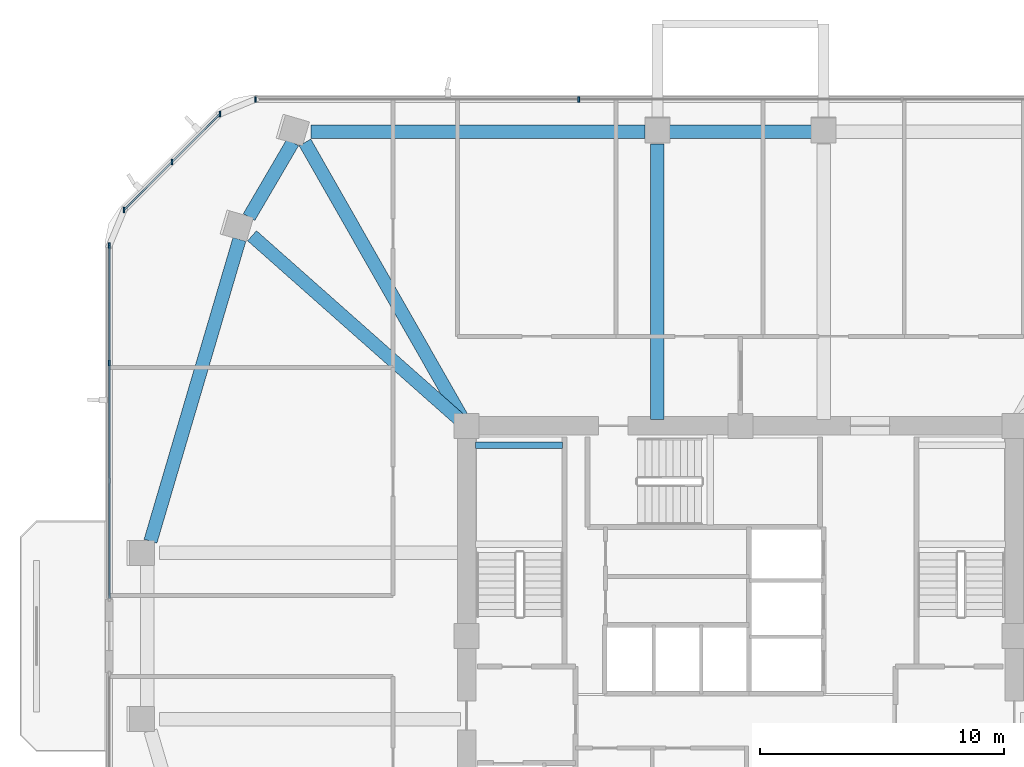
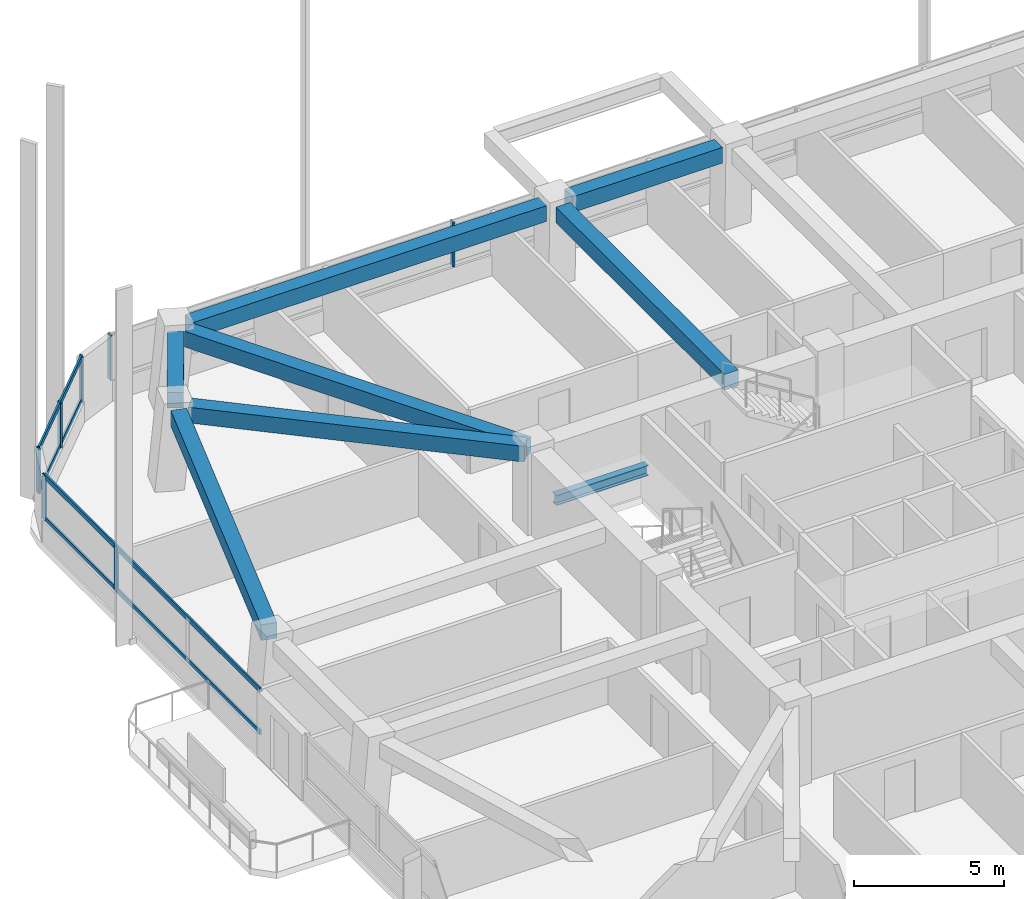
# One storey, part 4 of 15: 11 members, 8 beams, 3 elements without a shape of their own.
"""IFC4 building model written with IfcOpenShell, lengths in metres."""

from ifc_helpers import new_model, si_unit, derived_unit, direction, frame, origin, origin_2d, place, context, subcontext, project, spatial, rectangle, i_section, extrude, material, material_profile, profile_set, type_object, element, aggregate, save


model = new_model("IFC4")

# Units and contexts
model_context = context("Model", 3, precision=1e-05, world=origin(), true_north=direction((0.0, 1.0)))
body_context = subcontext(model_context, "Body", "Model", "MODEL_VIEW")
ifc_project = project(units=[si_unit("LENGTHUNIT", "METRE"), si_unit("AREAUNIT", "SQUARE_METRE"), si_unit("VOLUMEUNIT", "CUBIC_METRE"), si_unit("PLANEANGLEUNIT", "RADIAN"), si_unit("MASSUNIT", "GRAM", prefix="KILO"), derived_unit("THERMALTRANSMITTANCEUNIT", [(si_unit("POWERUNIT", "WATT"), 1), (si_unit("LENGTHUNIT", "METRE"), -2), (si_unit("THERMODYNAMICTEMPERATUREUNIT", "KELVIN"), -1)])], contexts=[model_context])

# Site, building, storey
site_placement = place(None, origin())
site = spatial("IfcSite", under=ifc_project, at=site_placement, CompositionType="ELEMENT")
building_placement = place(site_placement, origin())
building = spatial("IfcBuilding", under=site, at=building_placement, Name="Koralith Skygarden Medical Center", CompositionType="ELEMENT")
storey_placement = place(building_placement, frame((0.0, 0.0, 99.179931640625)))
storey = spatial("IfcBuildingStorey", under=building, at=storey_placement, Name="L25", CompositionType="ELEMENT", Elevation=99.179931640625)

# Curtain wall, members
ifc_material_1 = material(Name="Clear Laminated Glass", Category="glass")
curtain_wall_type = type_object("IfcCurtainWallType", Name="CW-3 Zone 2 Faceted Solar Curtain Wall", PredefinedType="NOTDEFINED", material=ifc_material_1)
curtain_wall_1_placement = place(storey_placement, origin())
curtain_wall_1 = element("IfcCurtainWall", 1, at=curtain_wall_1_placement, inside=storey, type_object=curtain_wall_type, Name="Curtain Wall CW-L25-N", PredefinedType="NOTDEFINED")
ifc_material_2 = material(Name="Aluminium 6063-T6", Category="aluminium")
ifc_material_profile_1 = material_profile(ifc_material_2, rectangle(XDim=0.073974609375, YDim=0.219970703125, at=origin_2d()), Name="MUL74X220")
ifc_profile_set_1 = profile_set([ifc_material_profile_1], Name="Aluminium 6063-T6")
member_type_1 = type_object("IfcMemberType", Name="CW-3 Extruded Mullion 74x220", PredefinedType="MULLION", material=ifc_profile_set_1)
member_1_placement = place(storey_placement, frame((30.386962890625, 47.85498046875, 0.85009765625), z_axis=(0.0, 0.0, 1.0), x_axis=(1.0, 0.0, 0.0)))
member_1 = element("IfcMember", 2, at=member_1_placement, type_object=member_type_1, Name="CW-L25-N Mullion 3", PredefinedType="MULLION", context=body_context, shape_type="SweptSolid", body=[
    extrude(rectangle(XDim=0.073974609375, YDim=0.219970703125, at=origin_2d()), origin(), (0.0, 0.0, 1.0), 1.820068359375),
])
member_2_placement = place(storey_placement, frame((17.162109375, 47.85498046875, 0.85009765625), z_axis=(0.0, 0.0, 1.0), x_axis=(1.0, 0.0, 0.0)))
member_2 = element("IfcMember", 3, at=member_2_placement, type_object=member_type_1, Name="CW-L25-N Mullion 4", PredefinedType="MULLION", context=body_context, shape_type="SweptSolid", body=[
    extrude(rectangle(XDim=0.073974609375, YDim=0.219970703125, at=origin_2d()), origin(), (0.0, 0.0, 1.0), 1.820068359375),
])
aggregate(curtain_wall_1, [member_1, member_2])

curtain_wall_2_placement = place(storey_placement, origin())
curtain_wall_2 = element("IfcCurtainWall", 4, at=curtain_wall_2_placement, inside=storey, type_object=curtain_wall_type, Name="Curtain Wall CW-L25-NW", PredefinedType="NOTDEFINED")
member_3_placement = place(storey_placement, frame((15.7109375, 47.2529296875, 0.85009765625), z_axis=(0.0, 0.0, 1.0), x_axis=(1.0, 0.0, 0.0)))
member_3 = element("IfcMember", 5, at=member_3_placement, type_object=member_type_1, Name="CW-L25-NW Mullion 1", PredefinedType="MULLION", context=body_context, shape_type="SweptSolid", body=[
    extrude(rectangle(XDim=0.073974609375, YDim=0.219970703125, at=origin_2d()), origin(), (0.0, 0.0, 1.0), 1.820068359375),
])
member_4_placement = place(storey_placement, frame((13.75, 45.291015625, 0.85009765625), z_axis=(0.0, 0.0, 1.0), x_axis=(1.0, 0.0, 0.0)))
member_4 = element("IfcMember", 6, at=member_4_placement, type_object=member_type_1, Name="CW-L25-NW Mullion 2", PredefinedType="MULLION", context=body_context, shape_type="SweptSolid", body=[
    extrude(rectangle(XDim=0.073974609375, YDim=0.219970703125, at=origin_2d()), origin(), (0.0, 0.0, 1.0), 1.820068359375),
])
member_5_placement = place(storey_placement, frame((11.7880859375, 43.330078125, 0.85009765625), z_axis=(0.0, 0.0, 1.0), x_axis=(1.0, 0.0, 0.0)))
member_5 = element("IfcMember", 7, at=member_5_placement, type_object=member_type_1, Name="CW-L25-NW Mullion 3", PredefinedType="MULLION", context=body_context, shape_type="SweptSolid", body=[
    extrude(rectangle(XDim=0.073974609375, YDim=0.219970703125, at=origin_2d()), origin(), (0.0, 0.0, 1.0), 1.820068359375),
])

curtain_wall_3_placement = place(storey_placement, origin())
curtain_wall_3 = element("IfcCurtainWall", 8, at=curtain_wall_3_placement, inside=storey, type_object=curtain_wall_type, Name="Curtain Wall CW-L25-W-L", PredefinedType="NOTDEFINED")
member_6_placement = place(storey_placement, frame((11.18701171875, 41.87890625, 0.85009765625), z_axis=(0.0, 0.0, 1.0), x_axis=(1.0, 0.0, 0.0)))
member_6 = element("IfcMember", 9, at=member_6_placement, type_object=member_type_1, Name="CW-L25-W-L Mullion 1", PredefinedType="MULLION", context=body_context, shape_type="SweptSolid", body=[
    extrude(rectangle(XDim=0.073974609375, YDim=0.219970703125, at=origin_2d()), origin(), (0.0, 0.0, 1.0), 1.820068359375),
])
member_7_placement = place(storey_placement, frame((11.18701171875, 37.06591796875, 0.85009765625), z_axis=(0.0, 0.0, 1.0), x_axis=(1.0, 0.0, 0.0)))
member_7 = element("IfcMember", 10, at=member_7_placement, type_object=member_type_1, Name="CW-L25-W-L Mullion 2", PredefinedType="MULLION", context=body_context, shape_type="SweptSolid", body=[
    extrude(rectangle(XDim=0.073974609375, YDim=0.219970703125, at=origin_2d()), origin(), (0.0, 0.0, 1.0), 1.820068359375),
])

# Member
ifc_material_profile_2 = material_profile(ifc_material_2, rectangle(XDim=0.069091796875, YDim=0.197998046875, at=origin_2d()), Name="TRN69X198")
ifc_profile_set_2 = profile_set([ifc_material_profile_2], Name="Aluminium 6063-T6")
member_type_2 = type_object("IfcMemberType", Name="CW-3 Thermal Transom 69x198", PredefinedType="USERDEFINED", material=ifc_profile_set_2)
member_8_placement = place(storey_placement, frame((15.7109375, 47.2529296875, 0.900146484375), z_axis=(-0.707106781187, -0.707106781187, 0.0), x_axis=(0.707106781187, -0.707106781187, 0.0)))
member_8 = element("IfcMember", 11, at=member_8_placement, type_object=member_type_2, Name="CW-L25-NW Transom 1", ObjectType="TRANSOM", PredefinedType="USERDEFINED", context=body_context, shape_type="SweptSolid", body=[
    extrude(rectangle(XDim=0.069091796875, YDim=0.197998046875, at=origin_2d()), origin(), (0.0, 0.0, 1.0), 5.5478515625),
])

member_9_placement = place(storey_placement, frame((15.7109375, 47.2529296875, 2.6201171875), z_axis=(-0.707106781187, -0.707106781187, 0.0), x_axis=(0.707106781187, -0.707106781187, 0.0)))
member_9 = element("IfcMember", 12, at=member_9_placement, type_object=member_type_2, Name="CW-L25-NW Transom 2", ObjectType="TRANSOM", PredefinedType="USERDEFINED", context=body_context, shape_type="SweptSolid", body=[
    extrude(rectangle(XDim=0.069091796875, YDim=0.197998046875, at=origin_2d()), origin(), (0.0, 0.0, 1.0), 5.5478515625),
])

aggregate(curtain_wall_2, [member_3, member_4, member_5, member_8, member_9])

member_10_placement = place(storey_placement, frame((11.18701171875, 41.87890625, 0.900146484375), z_axis=(0.0, -1.0, 0.0), x_axis=(1.0, 0.0, 0.0)))
member_10 = element("IfcMember", 13, at=member_10_placement, type_object=member_type_2, Name="CW-L25-W-L Transom 1", ObjectType="TRANSOM", PredefinedType="USERDEFINED", context=body_context, shape_type="SweptSolid", body=[
    extrude(rectangle(XDim=0.069091796875, YDim=0.197998046875, at=origin_2d()), origin(), (0.0, 0.0, 1.0), 14.43896484375),
])

member_11_placement = place(storey_placement, frame((11.18701171875, 41.87890625, 2.6201171875), z_axis=(0.0, -1.0, 0.0), x_axis=(1.0, 0.0, 0.0)))
member_11 = element("IfcMember", 14, at=member_11_placement, type_object=member_type_2, Name="CW-L25-W-L Transom 2", ObjectType="TRANSOM", PredefinedType="USERDEFINED", context=body_context, shape_type="SweptSolid", body=[
    extrude(rectangle(XDim=0.069091796875, YDim=0.197998046875, at=origin_2d()), origin(), (0.0, 0.0, 1.0), 14.43896484375),
])

aggregate(curtain_wall_3, [member_6, member_7, member_10, member_11])

# Beams
ifc_material_3 = material(Name="Steel ASTM A992 Grade 50", Category="steel")
ifc_material_profile_3 = material_profile(ifc_material_3, i_section(OverallWidth=0.260009765625, OverallDepth=0.4150390625, WebThickness=0.010009765625, FlangeThickness=0.016845703125, at=origin_2d()), Name="W16X67")
ifc_profile_set_3 = profile_set([ifc_material_profile_3], Name="Steel ASTM A992 Grade 50")
beam_type_1 = type_object("IfcBeamType", Name="Clinical Floor Joist W16X67", PredefinedType="JOIST", material=ifc_profile_set_3)
beam_1_placement = place(storey_placement, frame((26.155029296875, 33.699951171875, 1.39306640625), z_axis=(1.0, 0.0, 0.0), x_axis=(0.0, 1.0, 0.0)))
element("IfcBeam", 15, at=beam_1_placement, inside=storey, type_object=beam_type_1, Name="L25 Stair ST1 Half-Landing Support Beam 1B", PredefinedType="JOIST", context=body_context, shape_type="SweptSolid", body=[
    extrude(i_section(OverallWidth=0.260009765625, OverallDepth=0.4150390625, WebThickness=0.010009765625, FlangeThickness=0.016845703125, at=origin_2d()), origin(), (0.0, 0.0, 1.0), 3.56494140625),
])
ifc_material_4 = material(Name="Concrete C45/55", Category="concrete")
ifc_material_profile_4 = material_profile(ifc_material_4, rectangle(XDim=0.550048828125, YDim=0.639892578125, at=origin_2d()), Name="RCB550X640")
ifc_profile_set_4 = profile_set([ifc_material_profile_4], Name="Concrete C45/55")
beam_type_2 = type_object("IfcBeamType", Name="Radial Collector Beam RCB550X640", PredefinedType="BEAM", material=ifc_profile_set_4)
beam_2_placement = place(storey_placement, frame((33.60009765625, 34.75, 3.0), z_axis=(0.0, 1.0, 0.0), x_axis=(-1.0, 0.0, 0.0)))
element("IfcBeam", 16, at=beam_2_placement, inside=storey, type_object=beam_type_2, Name="L25 Radial Collector Beam RB-13", PredefinedType="BEAM", context=body_context, shape_type="SweptSolid", body=[
    extrude(rectangle(XDim=0.550048828125, YDim=0.639892578125, at=origin_2d()), origin(), (0.0, 0.0, 1.0), 11.27587890625),
])
beam_3_placement = place(storey_placement, frame((25.676025390625, 34.717041015625, 3.0), z_axis=(-0.495393850048, 0.868668482987, 0.0), x_axis=(-0.868668482987, -0.495393850048, 0.0)))
element("IfcBeam", 17, at=beam_3_placement, inside=storey, type_object=beam_type_2, Name="L25 Radial Collector Beam RB-14", PredefinedType="BEAM", context=body_context, shape_type="SweptSolid", body=[
    extrude(rectangle(XDim=0.550048828125, YDim=0.639892578125, at=origin_2d()), origin(), (0.0, 0.0, 1.0), 13.0947265625),
])
beam_4_placement = place(storey_placement, frame((25.613037109375, 34.666015625, 3.0), z_axis=(-0.748607791836, 0.663013102436, 0.0), x_axis=(-0.663013102436, -0.748607791836, 0.0)))
element("IfcBeam", 18, at=beam_4_placement, inside=storey, type_object=beam_type_2, Name="L25 Radial Collector Beam RB-15", PredefinedType="BEAM", context=body_context, shape_type="SweptSolid", body=[
    extrude(rectangle(XDim=0.550048828125, YDim=0.639892578125, at=origin_2d()), origin(), (0.0, 0.0, 1.0), 11.474853515625),
])
ifc_material_profile_5 = material_profile(ifc_material_4, rectangle(XDim=0.550048828125, YDim=0.639892578125, at=origin_2d()), Name="RCB550X640")
ifc_profile_set_5 = profile_set([ifc_material_profile_5], Name="Concrete C45/55")
beam_type_3 = type_object("IfcBeamType", Name="Zone 2-3 Spandrel Beam RCB550X640", PredefinedType="SPANDREL", material=ifc_profile_set_5)
beam_5_placement = place(storey_placement, frame((39.89990234375, 46.52587890625, 3.0), z_axis=(-1.0, 0.0, 0.0), x_axis=(0.0, -1.0, 0.0)))
element("IfcBeam", 19, at=beam_5_placement, inside=storey, type_object=beam_type_3, Name="L25 Perimeter Spandrel Beam SP-12", PredefinedType="SPANDREL", context=body_context, shape_type="SweptSolid", body=[
    extrude(rectangle(XDim=0.550048828125, YDim=0.639892578125, at=origin_2d()), origin(), (0.0, 0.0, 1.0), 5.7998046875),
])
beam_6_placement = place(storey_placement, frame((33.10009765625, 46.52587890625, 3.0), z_axis=(-1.0, 0.0, 0.0), x_axis=(0.0, -1.0, 0.0)))
element("IfcBeam", 20, at=beam_6_placement, inside=storey, type_object=beam_type_3, Name="L25 Perimeter Spandrel Beam SP-13", PredefinedType="SPANDREL", context=body_context, shape_type="SweptSolid", body=[
    extrude(rectangle(XDim=0.550048828125, YDim=0.639892578125, at=origin_2d()), origin(), (0.0, 0.0, 1.0), 13.6591796875),
])
beam_7_placement = place(storey_placement, frame((18.68896484375, 46.093994140625, 3.0), z_axis=(-0.50502386975, -0.863105376523, 0.0), x_axis=(0.863105376523, -0.50502386975, 0.0)))
element("IfcBeam", 21, at=beam_7_placement, inside=storey, type_object=beam_type_3, Name="L25 Perimeter Spandrel Beam SP-14", PredefinedType="SPANDREL", context=body_context, shape_type="SweptSolid", body=[
    extrude(rectangle(XDim=0.550048828125, YDim=0.639892578125, at=origin_2d()), origin(), (0.0, 0.0, 1.0), 3.54052734375),
])
beam_8_placement = place(storey_placement, frame((16.508056640625, 42.1259765625, 3.0), z_axis=(-0.282651014076, -0.959222812616, 0.0), x_axis=(0.959222812616, -0.282651014076, 0.0)))
element("IfcBeam", 22, at=beam_8_placement, inside=storey, type_object=beam_type_3, Name="L25 Perimeter Spandrel Beam SP-15", PredefinedType="SPANDREL", context=body_context, shape_type="SweptSolid", body=[
    extrude(rectangle(XDim=0.550048828125, YDim=0.639892578125, at=origin_2d()), origin(), (0.0, 0.0, 1.0), 12.870849609375),
])

save(model, "model.ifc")
